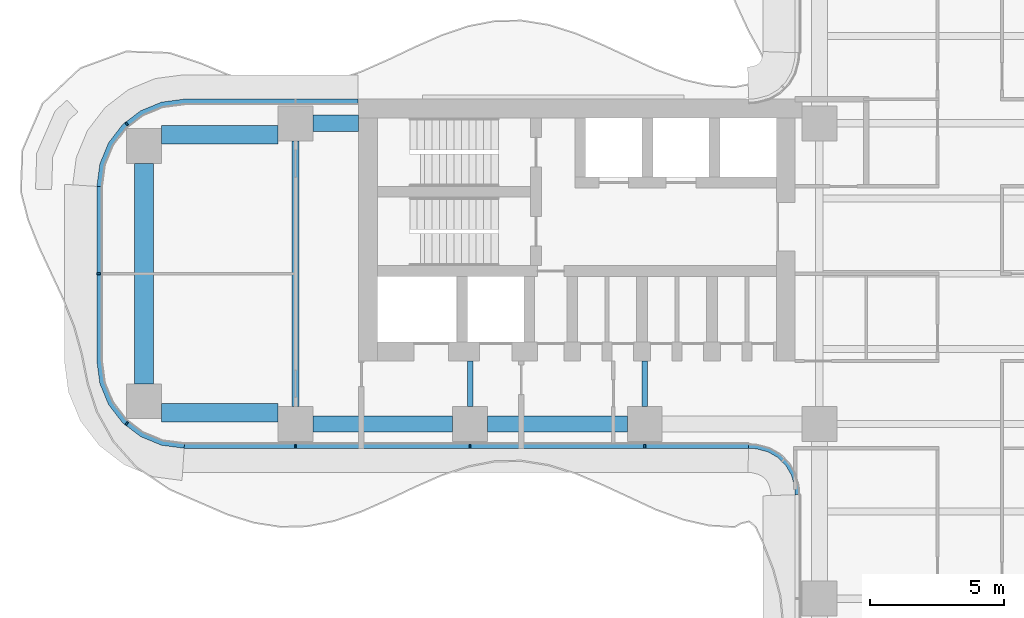
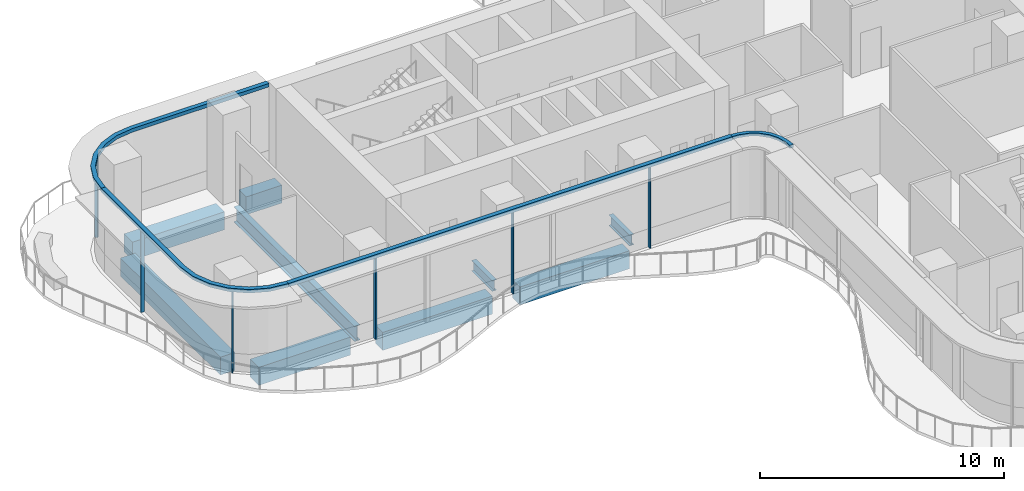
# One storey, part 3 of 20: 10 members, 9 beams, 4 elements without a shape of their own.
"""IFC4 building model written with IfcOpenShell, lengths in metres."""

from ifc_helpers import new_model, si_unit, direction, frame, origin, origin_2d, place, context, subcontext, project, spatial, polyline, rectangle, i_section, outline, extrude, source, transform, mapped, material, layer, layer_set, material_profile, profile_set, type_object, element, aggregate, save


model = new_model("IFC4")

# Units and contexts
model_context = context("Model", 3, precision=1e-05, world=origin(), true_north=direction((0.0, 1.0)))
body_context = subcontext(model_context, "Body", "Model", "MODEL_VIEW")
ifc_project = project(units=[si_unit("LENGTHUNIT", "METRE"), si_unit("AREAUNIT", "SQUARE_METRE"), si_unit("VOLUMEUNIT", "CUBIC_METRE"), si_unit("PLANEANGLEUNIT", "RADIAN"), si_unit("MASSUNIT", "GRAM", prefix="KILO")], contexts=[model_context])

# Site, building, storey
site_placement = place(None, origin())
site = spatial("IfcSite", under=ifc_project, at=site_placement, CompositionType="ELEMENT")
building_placement = place(site_placement, origin())
building = spatial("IfcBuilding", under=site, at=building_placement, Name="Trellis Farm Tower", CompositionType="ELEMENT")
storey_placement = place(building_placement, frame((0.0, 0.0, 142.5)))
storey = spatial("IfcBuildingStorey", under=building, at=storey_placement, Name="L30", CompositionType="ELEMENT", Elevation=142.5)

# Beams
ifc_material_1 = material(Name="Steel S355", Category="steel")
ifc_material_profile_1 = material_profile(ifc_material_1, i_section(OverallWidth=0.2666015625, OverallDepth=0.76220703125, WebThickness=0.014404296875, FlangeThickness=0.021484375, FilletRadius=0.0166015625, at=origin_2d()), Name="UB 762x267x173")
ifc_profile_set_1 = profile_set([ifc_material_profile_1], Name="Steel S355")
beam_type_1 = type_object("IfcBeamType", Name="UB 762x267x173", PredefinedType="BEAM", material=ifc_profile_set_1)
shared_shape_1 = source(origin(), body_context, "Body", "SweptSolid", [
    extrude(i_section(OverallWidth=0.2666015625, OverallDepth=0.76220703125, WebThickness=0.014404296875, FlangeThickness=0.021484375, FilletRadius=0.0166015625, at=origin_2d()), origin(), (0.0, 0.0, 1.0), 9.89990234375),
])
beam_1_placement = place(storey_placement, frame((-25.10009765625, -4.949951171875, -0.631103515625), z_axis=(0.0, 1.0, 0.0), x_axis=(-1.0, 0.0, 0.0)))
element("IfcBeam", 1, at=beam_1_placement, inside=storey, type_object=beam_type_1, Name="Girder", PredefinedType="BEAM", context=body_context, shape_type="MappedRepresentation", body=[
    mapped(shared_shape_1, transform((0.0, 0.0, 0.0))),
])
ifc_material_2 = material(Name="Concrete C60/75", Category="concrete")
ifc_material_profile_2 = material_profile(ifc_material_2, rectangle(XDim=0.60009765625, YDim=0.89990234375, at=origin_2d()), Name="RC spandrel beam 600x900 C60/75")
ifc_profile_set_2 = profile_set([ifc_material_profile_2], Name="Concrete C60/75")
beam_type_2 = type_object("IfcBeamType", Name="RC spandrel beam 600x900 C60/75", PredefinedType="SPANDREL", material=ifc_profile_set_2)
shared_shape_2 = source(origin(), body_context, "Body", "SweptSolid", [
    extrude(rectangle(XDim=0.60009765625, YDim=0.89990234375, at=origin_2d()), origin(), (0.0, 0.0, 1.0), 1.699951171875),
])
beam_2_placement = place(storey_placement, frame((-24.449951171875, 5.60009765625, -0.699951171875), z_axis=(1.0, 0.0, 0.0), x_axis=(0.0, 1.0, 0.0)))
element("IfcBeam", 2, at=beam_2_placement, inside=storey, type_object=beam_type_2, Name="Girder", PredefinedType="SPANDREL", context=body_context, shape_type="MappedRepresentation", body=[
    mapped(shared_shape_2, transform((0.0, 0.0, 0.0))),
])
ifc_material_profile_3 = material_profile(ifc_material_1, i_section(OverallWidth=0.209228515625, OverallDepth=0.533203125, WebThickness=0.010009765625, FlangeThickness=0.015625, FilletRadius=0.0126953125, at=origin_2d()), Name="UB 533x210x92")
ifc_profile_set_3 = profile_set([ifc_material_profile_3], Name="Steel S355")
beam_type_3 = type_object("IfcBeamType", Name="UB 533x210x92", PredefinedType="BEAM", material=ifc_profile_set_3)
shared_shape_3 = source(origin(), body_context, "Body", "SweptSolid", [
    extrude(i_section(OverallWidth=0.209228515625, OverallDepth=0.533203125, WebThickness=0.010009765625, FlangeThickness=0.015625, FilletRadius=0.0126953125, at=origin_2d()), origin(), (0.0, 0.0, 1.0), 1.699951171875),
])
for number, where, z_axis, x_axis, name in (
    (3, (-18.60009765625, -4.949951171875, -0.5166015625), (0.0, 1.0, 0.0), (-1.0, 0.0, 0.0), "Girder"),
    (4, (-12.10009765625, -4.949951171875, -0.5166015625), (0.0, 1.0, 0.0), (-1.0, 0.0, 0.0), "Girder"),
):
    element("IfcBeam", number, at=place(storey_placement, frame(where, z_axis=z_axis, x_axis=x_axis)), inside=storey, type_object=beam_type_3, Name=name, PredefinedType="BEAM", context=body_context, shape_type="MappedRepresentation", body=[
        mapped(shared_shape_3, transform((0.0, 0.0, 0.0))),
    ])
shared_shape_4 = source(origin(), body_context, "Body", "SweptSolid", [
    extrude(rectangle(XDim=0.60009765625, YDim=0.89990234375, at=origin_2d()), origin(), (0.0, 0.0, 1.0), 5.199951171875),
])
for number, where, z_axis, x_axis, name in (
    (5, (-24.449951171875, -5.60009765625, -0.699951171875), (1.0, 0.0, 0.0), (0.0, 1.0, 0.0), "Girder"),
    (6, (-17.949951171875, -5.60009765625, -0.699951171875), (1.0, 0.0, 0.0), (0.0, 1.0, 0.0), "Girder"),
):
    element("IfcBeam", number, at=place(storey_placement, frame(where, z_axis=z_axis, x_axis=x_axis)), inside=storey, type_object=beam_type_2, Name=name, PredefinedType="SPANDREL", context=body_context, shape_type="MappedRepresentation", body=[
        mapped(shared_shape_4, transform((0.0, 0.0, 0.0))),
    ])
ifc_material_profile_4 = material_profile(ifc_material_2, rectangle(XDim=0.699951171875, YDim=0.89990234375, at=origin_2d()), Name="RC spandrel beam 700x900 C60/75")
ifc_profile_set_4 = profile_set([ifc_material_profile_4], Name="Concrete C60/75")
beam_type_4 = type_object("IfcBeamType", Name="RC spandrel beam 700x900 C60/75", PredefinedType="SPANDREL", material=ifc_profile_set_4)
shared_shape_5 = source(origin(), body_context, "Body", "SweptSolid", [
    extrude(rectangle(XDim=0.699951171875, YDim=0.89990234375, at=origin_2d()), origin(), (0.0, 0.0, 1.0), 4.35009765625),
])
for number, where, z_axis, x_axis, name in (
    (7, (-30.10009765625, -5.175048828125, -0.699951171875), (1.0, 0.0, 0.0), (0.0, 1.0, 0.0), "Girder"),
    (8, (-30.10009765625, 5.175048828125, -0.699951171875), (1.0, 0.0, 0.0), (0.0, 1.0, 0.0), "Girder"),
):
    element("IfcBeam", number, at=place(storey_placement, frame(where, z_axis=z_axis, x_axis=x_axis)), inside=storey, type_object=beam_type_4, Name=name, PredefinedType="SPANDREL", context=body_context, shape_type="MappedRepresentation", body=[
        mapped(shared_shape_5, transform((0.0, 0.0, 0.0))),
    ])
shared_shape_6 = source(origin(), body_context, "Body", "SweptSolid", [
    extrude(rectangle(XDim=0.699951171875, YDim=0.89990234375, at=origin_2d()), origin(), (0.0, 0.0, 1.0), 8.2001953125),
])
beam_3_placement = place(storey_placement, frame((-30.75, -4.10009765625, -0.699951171875), z_axis=(0.0, 1.0, 0.0), x_axis=(-1.0, 0.0, 0.0)))
element("IfcBeam", 9, at=beam_3_placement, inside=storey, type_object=beam_type_4, Name="Girder", PredefinedType="SPANDREL", context=body_context, shape_type="MappedRepresentation", body=[
    mapped(shared_shape_6, transform((0.0, 0.0, 0.0))),
])

# Curtain wall, members
ifc_material_3 = material(Name="Aluminium and glass curtain wall", Category="aluminium")
ifc_layer_1 = layer(ifc_material_3, 0.18994140625)
ifc_layer_set_1 = layer_set([ifc_layer_1], Name="RIBBON CURTAIN WALL CW1")
curtain_wall_type_1 = type_object("IfcCurtainWallType", Name="RIBBON CURTAIN WALL CW1", PredefinedType="NOTDEFINED", material=ifc_layer_set_1)
placement_1 = place(storey_placement, origin())
curtain_wall_1 = element("IfcCurtainWall", 10, at=placement_1, inside=storey, type_object=curtain_wall_type_1, Name="CW1 001", PredefinedType="NOTDEFINED")
ifc_material_4 = material(Name="Aluminium extrusion 6063-T6", Category="aluminium")
ifc_material_profile_5 = material_profile(ifc_material_4, rectangle(XDim=0.06005859375, YDim=0.14990234375, at=origin_2d()), Name="MULLION 60x150")
ifc_profile_set_5 = profile_set([ifc_material_profile_5], Name="Aluminium extrusion 6063-T6")
member_type_1 = type_object("IfcMemberType", Name="CW1 MULLION 60x150", PredefinedType="MULLION", material=ifc_profile_set_5)
shared_shape_7 = source(origin(), body_context, "Body", "SweptSolid", [
    extrude(rectangle(XDim=0.06005859375, YDim=0.14990234375, at=origin_2d()), origin(), (0.0, 0.0, 1.0), 4.070068359375),
])
member_1_placement = place(storey_placement, frame((-25.10009765625, -6.425048828125, 0.0), z_axis=(0.0, 0.0, 1.0), x_axis=(1.0, 0.0, 0.0)))
member_1 = element("IfcMember", 11, at=member_1_placement, type_object=member_type_1, Name="MU1 001-01", PredefinedType="MULLION", context=body_context, shape_type="MappedRepresentation", body=[
    mapped(shared_shape_7, transform((0.0, 0.0, 0.0))),
])
member_2_placement = place(storey_placement, frame((-18.60009765625, -6.425048828125, 0.0), z_axis=(0.0, 0.0, 1.0), x_axis=(1.0, 0.0, 0.0)))
member_2 = element("IfcMember", 12, at=member_2_placement, type_object=member_type_1, Name="MU1 001-02", PredefinedType="MULLION", context=body_context, shape_type="MappedRepresentation", body=[
    mapped(shared_shape_7, transform((0.0, 0.0, 0.0))),
])
member_3_placement = place(storey_placement, frame((-12.10009765625, -6.425048828125, 0.0), z_axis=(0.0, 0.0, 1.0), x_axis=(1.0, 0.0, 0.0)))
member_3 = element("IfcMember", 13, at=member_3_placement, type_object=member_type_1, Name="MU1 001-03", PredefinedType="MULLION", context=body_context, shape_type="MappedRepresentation", body=[
    mapped(shared_shape_7, transform((0.0, 0.0, 0.0))),
])

# Curtain wall, member
curtain_wall_2 = element("IfcCurtainWall", 14, at=placement_1, inside=storey, type_object=curtain_wall_type_1, Name="CW1 012", PredefinedType="NOTDEFINED")
member_4_placement = place(storey_placement, frame((-31.385498046875, 5.578369140625, 0.0), z_axis=(0.0, 0.0, 1.0), x_axis=(-0.793353340291, -0.608761429009, 0.0)))
member_4 = element("IfcMember", 15, at=member_4_placement, type_object=member_type_1, Name="MU1 012-02", PredefinedType="MULLION", context=body_context, shape_type="MappedRepresentation", body=[
    mapped(shared_shape_7, transform((0.0, 0.0, 0.0))),
])

# Curtain wall, members
curtain_wall_3 = element("IfcCurtainWall", 16, at=placement_1, inside=storey, type_object=curtain_wall_type_1, Name="CW1 013", PredefinedType="NOTDEFINED")
member_5_placement = place(storey_placement, frame((-32.425048828125, 0.0, 0.0), z_axis=(0.0, 0.0, 1.0), x_axis=(0.0, -1.0, 0.0)))
member_5 = element("IfcMember", 17, at=member_5_placement, type_object=member_type_1, Name="MU1 013-01", PredefinedType="MULLION", context=body_context, shape_type="MappedRepresentation", body=[
    mapped(shared_shape_7, transform((0.0, 0.0, 0.0))),
])
member_6_placement = place(storey_placement, frame((-31.385498046875, -5.578369140625, 0.0), z_axis=(0.0, 0.0, 1.0), x_axis=(0.793353340291, -0.608761429009, 0.0)))
member_6 = element("IfcMember", 18, at=member_6_placement, type_object=member_type_1, Name="MU1 013-02", PredefinedType="MULLION", context=body_context, shape_type="MappedRepresentation", body=[
    mapped(shared_shape_7, transform((0.0, 0.0, 0.0))),
])

# Member
ifc_layer_2 = layer(ifc_material_4, 0.199951171875)
ifc_layer_set_2 = layer_set([ifc_layer_2], Name="Aluminium extrusion 6063-T6")
member_type_2 = type_object("IfcMemberType", Name="CW1 TRANSOM 200x180", PredefinedType="USERDEFINED", material=ifc_layer_set_2)
shared_shape_8 = source(origin(), body_context, "Body", "SweptSolid", [
    extrude(outline(polyline([(-29.25, -6.5), (-8.2314453125, -6.5), (-8.224853515625, -6.300048828125), (-29.23681640625, -6.300048828125), (-29.25, -6.5)])), origin(), (0.0, 0.0, 1.0), 0.179931640625),
])
placement_2 = place(storey_placement, frame((0.0, 0.0, 4.070068359375)))
member_7 = element("IfcMember", 19, at=placement_2, type_object=member_type_2, Name="TR1 001", ObjectType="TRANSOM", PredefinedType="USERDEFINED", context=body_context, shape_type="MappedRepresentation", body=[
    mapped(shared_shape_8, transform((0.0, 0.0, 0.0))),
])

aggregate(curtain_wall_1, [member_1, member_2, member_3, member_7])

# Curtain wall, member
ifc_layer_3 = layer(ifc_material_3, 0.166015625)
ifc_layer_set_3 = layer_set([ifc_layer_3], Name="WINTER GARDEN CURTAIN WALL CW3")
curtain_wall_type_2 = type_object("IfcCurtainWallType", Name="WINTER GARDEN CURTAIN WALL CW3", PredefinedType="NOTDEFINED", material=ifc_layer_set_3)
curtain_wall_4 = element("IfcCurtainWall", 20, at=placement_1, inside=storey, type_object=curtain_wall_type_2, Name="CW3 001", PredefinedType="NOTDEFINED")
ifc_layer_4 = layer(ifc_material_4, 0.169921875)
ifc_layer_set_4 = layer_set([ifc_layer_4], Name="Aluminium extrusion 6063-T6")
member_type_3 = type_object("IfcMemberType", Name="CW3 TRANSOM 170x150", PredefinedType="USERDEFINED", material=ifc_layer_set_4)
shared_shape_9 = source(origin(), body_context, "Body", "SweptSolid", [
    extrude(outline(polyline([(-8.2314453125, -6.5), (-8.01953125, -6.513916015625), (-7.91552734375, -6.527587890625), (-7.508544921875, -6.63671875), (-7.144287109375, -6.846923828125), (-6.846923828125, -7.144287109375), (-6.63671875, -7.508544921875), (-6.527587890625, -7.91552734375), (-6.513916015625, -8.01953125), (-6.5, -8.2314453125), (-6.330078125, -8.225830078125), (-6.3447265625, -8.0029296875), (-6.360595703125, -7.88232421875), (-6.478271484375, -7.44287109375), (-6.7109375, -7.0400390625), (-7.0400390625, -6.7109375), (-7.44287109375, -6.478271484375), (-7.88232421875, -6.360595703125), (-8.0029296875, -6.3447265625), (-8.225830078125, -6.330078125), (-8.2314453125, -6.5)])), origin(), (0.0, 0.0, 1.0), 0.14990234375),
])
member_8_placement = place(storey_placement, frame((0.0, 0.0, 4.10009765625)))
member_8 = element("IfcMember", 21, at=member_8_placement, type_object=member_type_3, Name="TR3 001", ObjectType="TRANSOM", PredefinedType="USERDEFINED", context=body_context, shape_type="MappedRepresentation", body=[
    mapped(shared_shape_9, transform((0.0, 0.0, 0.0))),
])
aggregate(curtain_wall_4, [member_8])

# Member
shared_shape_10 = source(origin(), body_context, "Body", "SweptSolid", [
    extrude(outline(polyline([(-22.780029296875, 6.5), (-29.25, 6.5), (-30.091064453125, 6.38916015625), (-30.875, 6.064697265625), (-31.548095703125, 5.548095703125), (-32.064697265625, 4.875), (-32.38916015625, 4.091064453125), (-32.5, 3.25), (-32.300048828125, 3.23681640625), (-32.1943359375, 4.0390625), (-31.889892578125, 4.774169921875), (-31.405517578125, 5.405517578125), (-30.774169921875, 5.889892578125), (-30.0390625, 6.1943359375), (-29.23681640625, 6.300048828125), (-22.780029296875, 6.300048828125), (-22.780029296875, 6.5)])), origin(), (0.0, 0.0, 1.0), 0.179931640625),
])
member_9 = element("IfcMember", 22, at=placement_2, type_object=member_type_2, Name="TR1 012", ObjectType="TRANSOM", PredefinedType="USERDEFINED", context=body_context, shape_type="MappedRepresentation", body=[
    mapped(shared_shape_10, transform((0.0, 0.0, 0.0))),
])

aggregate(curtain_wall_2, [member_4, member_9])

shared_shape_11 = source(origin(), body_context, "Body", "SweptSolid", [
    extrude(outline(polyline([(-32.5, 3.25), (-32.5, -3.25), (-32.38916015625, -4.091064453125), (-32.064697265625, -4.875), (-31.548095703125, -5.548095703125), (-30.875, -6.064697265625), (-30.091064453125, -6.38916015625), (-29.25, -6.5), (-29.23681640625, -6.300048828125), (-30.0390625, -6.1943359375), (-30.774169921875, -5.889892578125), (-31.405517578125, -5.405517578125), (-31.889892578125, -4.774169921875), (-32.1943359375, -4.0390625), (-32.300048828125, -3.23681640625), (-32.300048828125, 3.23681640625), (-32.5, 3.25)])), origin(), (0.0, 0.0, 1.0), 0.179931640625),
])
member_10 = element("IfcMember", 23, at=placement_2, type_object=member_type_2, Name="TR1 013", ObjectType="TRANSOM", PredefinedType="USERDEFINED", context=body_context, shape_type="MappedRepresentation", body=[
    mapped(shared_shape_11, transform((0.0, 0.0, 0.0))),
])

aggregate(curtain_wall_3, [member_5, member_6, member_10])

save(model, "model.ifc")
